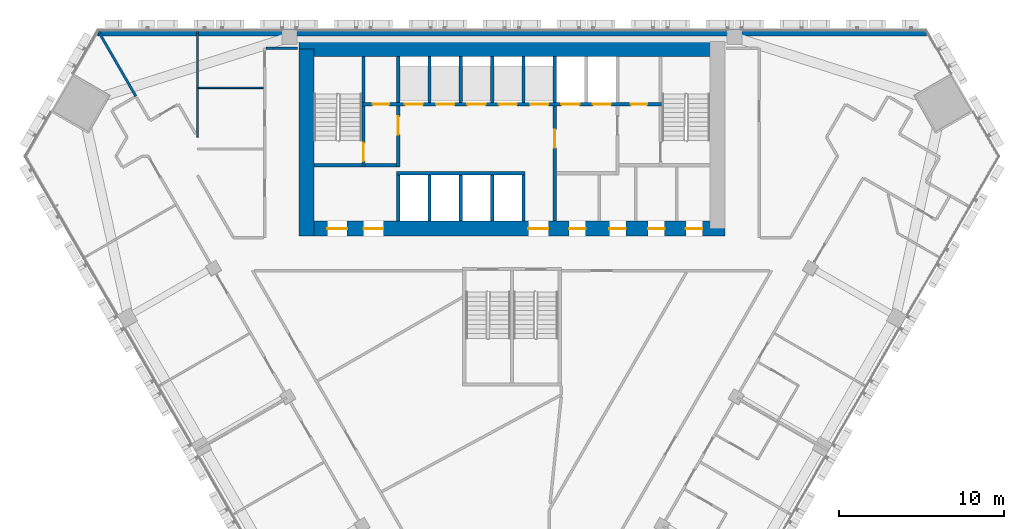
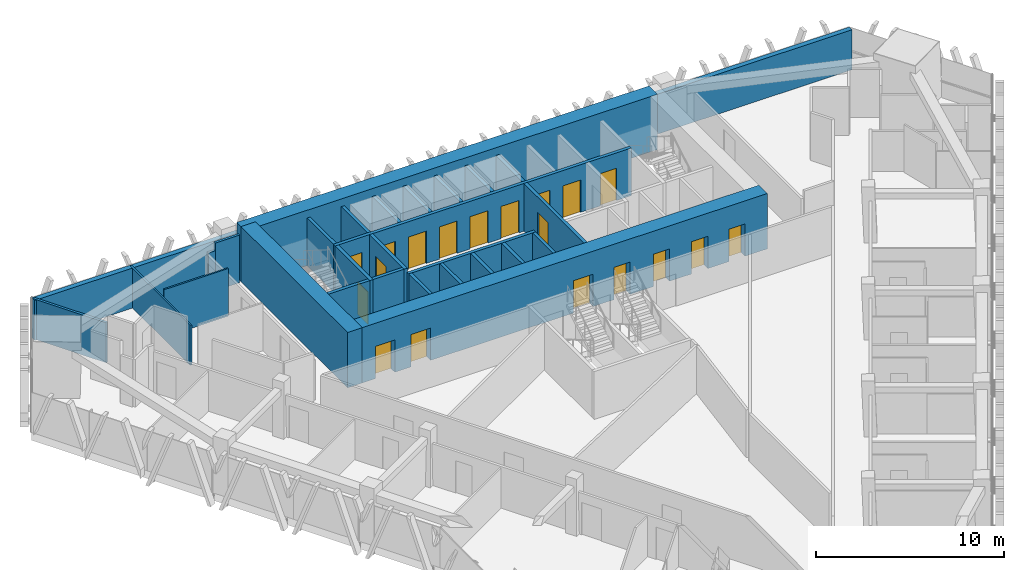
# One storey, part 11 of 16: 28 walls, 19 doors, 19 openings.
"""IFC4 building model written with IfcOpenShell, lengths in metres."""

from ifc_helpers import new_model, si_unit, direction, frame, frame_2d, origin, place, context, subcontext, project, spatial, rectangle, extrude, material, layer, layer_set, type_object, element, fill, save


model = new_model("IFC4")

# Units and contexts
model_context = context("Model", 3, precision=1e-05, world=origin(), true_north=direction((0.0, 1.0)))
body_context = subcontext(model_context, "Body", "Model", "MODEL_VIEW")
ifc_project = project(units=[si_unit("LENGTHUNIT", "METRE"), si_unit("AREAUNIT", "SQUARE_METRE"), si_unit("VOLUMEUNIT", "CUBIC_METRE"), si_unit("PLANEANGLEUNIT", "RADIAN"), si_unit("MASSUNIT", "GRAM", prefix="KILO")], contexts=[model_context])

# Site, building, storey
site_placement = place(None, origin())
site = spatial("IfcSite", under=ifc_project, at=site_placement, CompositionType="ELEMENT")
building_placement = place(site_placement, origin())
building = spatial("IfcBuilding", under=site, at=building_placement, Name="Altiplano Prism Tower", CompositionType="ELEMENT")
storey_placement = place(building_placement, frame((0.0, 0.0, 81.0)))
storey = spatial("IfcBuildingStorey", under=building, at=storey_placement, Name="L20", CompositionType="ELEMENT", Elevation=81.0)

# Wall, openings, doors
ifc_material_1 = material(Name="Concrete C70/85", Category="concrete")
ifc_layer_1 = layer(ifc_material_1, 0.89990234375)
ifc_layer_set_1 = layer_set([ifc_layer_1], Name="Concrete C70/85")
wall_type_1 = type_object("IfcWallType", Name="Core wall 900", PredefinedType="SHEAR", material=ifc_layer_set_1)
wall_1_placement = place(storey_placement, frame((72.550048828125, 92.949951171875, 0.0), z_axis=(0.0, 0.0, 1.0), x_axis=(1.0, 0.0, 0.0)))
wall_1 = element("IfcWall", 1, at=wall_1_placement, inside=storey, type_object=wall_type_1, Name="Core wall S L20", PredefinedType="SHEAR", context=body_context, shape_type="SweptSolid", body=[
    extrude(rectangle(XDim=25.349853515625, YDim=0.89990234375, at=frame_2d((12.6748046875, 0.0))), origin(), (0.0, 0.0, 1.0), 3.60009765625),
])
opening_1_placement = place(wall_1_placement, frame((1.25, 0.0, 0.0)))
opening_1 = element("IfcOpeningElement", 2, at=opening_1_placement, cuts=wall_1, Name="Opening D2860", PredefinedType="OPENING", context=body_context, shape_type="SweptSolid", body=[
    extrude(rectangle(XDim=1.199951171875, YDim=2.10009765625, at=frame_2d((0.60009765625, 1.050048828125))), frame((0.0, 0.46044921875, 0.0), z_axis=(0.0, -1.0, 0.0), x_axis=(1.0, 0.0, 0.0)), (0.0, 0.0, 1.0), 0.9208984375),
])
opening_2_placement = place(wall_1_placement, frame((3.449951171875, 0.0, 0.0)))
opening_2 = element("IfcOpeningElement", 3, at=opening_2_placement, cuts=wall_1, Name="Opening D2861", PredefinedType="OPENING", context=body_context, shape_type="SweptSolid", body=[
    extrude(rectangle(XDim=1.199951171875, YDim=2.10009765625, at=frame_2d((0.60009765625, 1.050048828125))), frame((0.0, 0.46044921875, 0.0), z_axis=(0.0, -1.0, 0.0), x_axis=(1.0, 0.0, 0.0)), (0.0, 0.0, 1.0), 0.9208984375),
])
opening_3_placement = place(wall_1_placement, frame((13.449951171875, 0.0, 0.0)))
opening_3 = element("IfcOpeningElement", 4, at=opening_3_placement, cuts=wall_1, Name="Opening D2862", PredefinedType="OPENING", context=body_context, shape_type="SweptSolid", body=[
    extrude(rectangle(XDim=1.199951171875, YDim=2.10009765625, at=frame_2d((0.60009765625, 1.050048828125))), frame((0.0, 0.46044921875, 0.0), z_axis=(0.0, -1.0, 0.0), x_axis=(1.0, 0.0, 0.0)), (0.0, 0.0, 1.0), 0.9208984375),
])
opening_4_placement = place(wall_1_placement, frame((15.91259765625, 0.0, 0.0)))
opening_4 = element("IfcOpeningElement", 5, at=opening_4_placement, cuts=wall_1, Name="Opening D2865", PredefinedType="OPENING", context=body_context, shape_type="SweptSolid", body=[
    extrude(rectangle(XDim=1.0, YDim=2.10009765625, at=frame_2d((0.5, 1.050048828125))), frame((0.0, 0.46044921875, 0.0), z_axis=(0.0, -1.0, 0.0), x_axis=(1.0, 0.0, 0.0)), (0.0, 0.0, 1.0), 0.9208984375),
])
opening_5_placement = place(wall_1_placement, frame((18.35009765625, 0.0, 0.0)))
opening_5 = element("IfcOpeningElement", 6, at=opening_5_placement, cuts=wall_1, Name="Opening D2866", PredefinedType="OPENING", context=body_context, shape_type="SweptSolid", body=[
    extrude(rectangle(XDim=1.0, YDim=2.10009765625, at=frame_2d((0.5, 1.050048828125))), frame((0.0, 0.46044921875, 0.0), z_axis=(0.0, -1.0, 0.0), x_axis=(1.0, 0.0, 0.0)), (0.0, 0.0, 1.0), 0.9208984375),
])
opening_6_placement = place(wall_1_placement, frame((20.699951171875, 0.0, 0.0)))
opening_6 = element("IfcOpeningElement", 7, at=opening_6_placement, cuts=wall_1, Name="Opening D2867", PredefinedType="OPENING", context=body_context, shape_type="SweptSolid", body=[
    extrude(rectangle(XDim=1.0, YDim=2.10009765625, at=frame_2d((0.5, 1.050048828125))), frame((0.0, 0.46044921875, 0.0), z_axis=(0.0, -1.0, 0.0), x_axis=(1.0, 0.0, 0.0)), (0.0, 0.0, 1.0), 0.9208984375),
])
opening_7_placement = place(wall_1_placement, frame((22.987548828125, 0.0, 0.0)))
opening_7 = element("IfcOpeningElement", 8, at=opening_7_placement, cuts=wall_1, Name="Opening D2868", PredefinedType="OPENING", context=body_context, shape_type="SweptSolid", body=[
    extrude(rectangle(XDim=1.0, YDim=2.10009765625, at=frame_2d((0.5, 1.050048828125))), frame((0.0, 0.46044921875, 0.0), z_axis=(0.0, -1.0, 0.0), x_axis=(1.0, 0.0, 0.0)), (0.0, 0.0, 1.0), 0.9208984375),
])
ifc_material_2 = material(Name="Fire-rated steel door", Category="steel")
door_type_1 = type_object("IfcDoorType", Name="Core room door 1000 x 2100", OperationType="NOTDEFINED", PredefinedType="NOTDEFINED", material=ifc_material_2)
door_1_placement = place(opening_4_placement, origin())
door_1 = element("IfcDoor", 9, at=door_1_placement, inside=storey, type_object=door_type_1, Name="Core room door D2865", OperationType="SINGLE_SWING_RIGHT", OverallHeight=2.10009765625, OverallWidth=1.0, PredefinedType="NOTDEFINED", context=body_context, shape_type="SweptSolid", body=[
    extrude(rectangle(XDim=1.0, YDim=2.10009765625, at=frame_2d((0.5, 1.050048828125))), frame((0.0, 0.02490234375, 0.0), z_axis=(0.0, -1.0, 0.0), x_axis=(1.0, 0.0, 0.0)), (0.0, 0.0, 1.0), 0.050048828125),
])
fill(opening_4, door_1)
door_2_placement = place(opening_5_placement, origin())
door_2 = element("IfcDoor", 10, at=door_2_placement, inside=storey, type_object=door_type_1, Name="Core room door D2866", OperationType="SINGLE_SWING_LEFT", OverallHeight=2.10009765625, OverallWidth=1.0, PredefinedType="NOTDEFINED", context=body_context, shape_type="SweptSolid", body=[
    extrude(rectangle(XDim=1.0, YDim=2.10009765625, at=frame_2d((0.5, 1.050048828125))), frame((0.0, 0.02490234375, 0.0), z_axis=(0.0, -1.0, 0.0), x_axis=(1.0, 0.0, 0.0)), (0.0, 0.0, 1.0), 0.050048828125),
])
fill(opening_5, door_2)
door_3_placement = place(opening_6_placement, origin())
door_3 = element("IfcDoor", 11, at=door_3_placement, inside=storey, type_object=door_type_1, Name="Core room door D2867", OperationType="SINGLE_SWING_RIGHT", OverallHeight=2.10009765625, OverallWidth=1.0, PredefinedType="NOTDEFINED", context=body_context, shape_type="SweptSolid", body=[
    extrude(rectangle(XDim=1.0, YDim=2.10009765625, at=frame_2d((0.5, 1.050048828125))), frame((0.0, 0.02490234375, 0.0), z_axis=(0.0, -1.0, 0.0), x_axis=(1.0, 0.0, 0.0)), (0.0, 0.0, 1.0), 0.050048828125),
])
fill(opening_6, door_3)
door_4_placement = place(opening_7_placement, origin())
door_4 = element("IfcDoor", 12, at=door_4_placement, inside=storey, type_object=door_type_1, Name="Core room door D2868", OperationType="SINGLE_SWING_LEFT", OverallHeight=2.10009765625, OverallWidth=1.0, PredefinedType="NOTDEFINED", context=body_context, shape_type="SweptSolid", body=[
    extrude(rectangle(XDim=1.0, YDim=2.10009765625, at=frame_2d((0.5, 1.050048828125))), frame((0.0, 0.02490234375, 0.0), z_axis=(0.0, -1.0, 0.0), x_axis=(1.0, 0.0, 0.0)), (0.0, 0.0, 1.0), 0.050048828125),
])
fill(opening_7, door_4)
door_type_2 = type_object("IfcDoorType", Name="Lobby fire door 1200 x 2100", OperationType="NOTDEFINED", PredefinedType="NOTDEFINED", material=ifc_material_2)
door_5_placement = place(opening_1_placement, origin())
door_5 = element("IfcDoor", 13, at=door_5_placement, inside=storey, type_object=door_type_2, Name="Lobby fire door D2860", OperationType="SINGLE_SWING_RIGHT", OverallHeight=2.10009765625, OverallWidth=1.199951171875, PredefinedType="NOTDEFINED", context=body_context, shape_type="SweptSolid", body=[
    extrude(rectangle(XDim=1.199951171875, YDim=2.10009765625, at=frame_2d((0.60009765625, 1.050048828125))), frame((0.0, 0.02490234375, 0.0), z_axis=(0.0, -1.0, 0.0), x_axis=(1.0, 0.0, 0.0)), (0.0, 0.0, 1.0), 0.050048828125),
])
fill(opening_1, door_5)
door_6_placement = place(opening_2_placement, origin())
door_6 = element("IfcDoor", 14, at=door_6_placement, inside=storey, type_object=door_type_2, Name="Lobby fire door D2861", OperationType="SINGLE_SWING_LEFT", OverallHeight=2.10009765625, OverallWidth=1.199951171875, PredefinedType="NOTDEFINED", context=body_context, shape_type="SweptSolid", body=[
    extrude(rectangle(XDim=1.199951171875, YDim=2.10009765625, at=frame_2d((0.60009765625, 1.050048828125))), frame((0.0, 0.02490234375, 0.0), z_axis=(0.0, -1.0, 0.0), x_axis=(1.0, 0.0, 0.0)), (0.0, 0.0, 1.0), 0.050048828125),
])
fill(opening_2, door_6)
door_7_placement = place(opening_3_placement, origin())
door_7 = element("IfcDoor", 15, at=door_7_placement, inside=storey, type_object=door_type_2, Name="Lobby fire door D2862", OperationType="SINGLE_SWING_RIGHT", OverallHeight=2.10009765625, OverallWidth=1.199951171875, PredefinedType="NOTDEFINED", context=body_context, shape_type="SweptSolid", body=[
    extrude(rectangle(XDim=1.199951171875, YDim=2.10009765625, at=frame_2d((0.60009765625, 1.050048828125))), frame((0.0, 0.02490234375, 0.0), z_axis=(0.0, -1.0, 0.0), x_axis=(1.0, 0.0, 0.0)), (0.0, 0.0, 1.0), 0.050048828125),
])
fill(opening_3, door_7)

# Walls
wall_2_placement = place(storey_placement, frame((97.449951171875, 103.85009765625, 0.0), z_axis=(0.0, 0.0, 1.0), x_axis=(-1.0, 0.0, 0.0)))
element("IfcWall", 16, at=wall_2_placement, inside=storey, type_object=wall_type_1, Name="Core wall N L20", PredefinedType="SHEAR", context=body_context, shape_type="SweptSolid", body=[
    extrude(rectangle(XDim=25.349853515625, YDim=0.89990234375, at=frame_2d((12.6748046875, 0.0))), origin(), (0.0, 0.0, 1.0), 3.60009765625),
])
wall_3_placement = place(storey_placement, frame((72.550048828125, 103.85009765625, 0.0), z_axis=(0.0, 0.0, 1.0), x_axis=(0.0, -1.0, 0.0)))
element("IfcWall", 17, at=wall_3_placement, inside=storey, type_object=wall_type_1, Name="Core wall W L20", PredefinedType="SHEAR", context=body_context, shape_type="SweptSolid", body=[
    extrude(rectangle(XDim=11.35009765625, YDim=0.89990234375, at=frame_2d((5.675048828125, 0.0))), origin(), (0.0, 0.0, 1.0), 3.60009765625),
])
ifc_material_3 = material(Name="Plasterboard on steel stud", Category="steel")
ifc_layer_2 = layer(ifc_material_3, 0.10009765625)
ifc_layer_set_2 = layer_set([ifc_layer_2], Name="Plasterboard on steel stud")
wall_type_2 = type_object("IfcWallType", Name="Partition 100 wet", PredefinedType="PARTITIONING", material=ifc_layer_set_2)
wall_4_placement = place(storey_placement, frame((69.925048828125, 101.485595703125, 0.0), z_axis=(0.0, 0.0, 1.0), x_axis=(-1.0, 0.0, 0.0)))
element("IfcWall", 18, at=wall_4_placement, inside=storey, type_object=wall_type_2, Name="Partition P03 L20 039", PredefinedType="PARTITIONING", context=body_context, shape_type="SweptSolid", body=[
    extrude(rectangle(XDim=3.93994140625, YDim=0.10009765625, at=frame_2d((1.969970703125, 0.0))), origin(), (0.0, 0.0, 1.0), 3.10009765625),
])
wall_5_placement = place(storey_placement, frame((65.93603515625, 104.89990234375, 0.0), z_axis=(0.0, 0.0, 1.0), x_axis=(-0.000267032874, -0.999999964347, 0.0)))
element("IfcWall", 19, at=wall_5_placement, inside=storey, type_object=wall_type_2, Name="Partition P03 L20 041", PredefinedType="PARTITIONING", context=body_context, shape_type="SweptSolid", body=[
    extrude(rectangle(XDim=6.39990234375, YDim=0.10009765625, at=frame_2d((3.199951171875, 0.0))), origin(), (0.0, 0.0, 1.0), 2.60009765625),
])
ifc_layer_3 = layer(ifc_material_3, 0.14990234375)
ifc_layer_set_3 = layer_set([ifc_layer_3], Name="Plasterboard on steel stud")
wall_type_3 = type_object("IfcWallType", Name="Partition 150 corridor", PredefinedType="PARTITIONING", material=ifc_layer_set_3)
wall_6_placement = place(storey_placement, frame((72.0, 103.89990234375, 0.0), z_axis=(0.0, 0.0, 1.0), x_axis=(-1.0, 0.0, 0.0)))
element("IfcWall", 20, at=wall_6_placement, inside=storey, type_object=wall_type_3, Name="Partition P06 L20 001", PredefinedType="PARTITIONING", context=body_context, shape_type="SweptSolid", body=[
    extrude(rectangle(XDim=1.49169921875, YDim=0.14990234375, at=frame_2d((0.745849609375, 0.0))), origin(), (0.0, 0.0, 1.0), 3.10009765625),
])
wall_7_placement = place(storey_placement, frame((70.50830078125, 103.89990234375, 0.0), z_axis=(0.0, 0.0, 1.0), x_axis=(-1.0, 0.0, 0.0)))
element("IfcWall", 21, at=wall_7_placement, inside=storey, type_object=wall_type_3, Name="Partition P06 L20 002", PredefinedType="PARTITIONING", context=body_context, shape_type="SweptSolid", body=[
    extrude(rectangle(XDim=0.433349609375, YDim=0.14990234375, at=frame_2d((0.216796875, 0.0))), origin(), (0.0, 0.0, 1.0), 2.60009765625),
])
ifc_layer_4 = layer(ifc_material_3, 0.14990234375)
ifc_layer_set_4 = layer_set([ifc_layer_4], Name="Plasterboard on steel stud")
wall_type_4 = type_object("IfcWallType", Name="Partition 150 party", PredefinedType="PARTITIONING", material=ifc_layer_set_4)
wall_8_placement = place(storey_placement, frame((59.9296875, 104.89990234375, 0.0), z_axis=(0.0, 0.0, 1.0), x_axis=(0.500023773789, -0.866011677546, 0.0)))
element("IfcWall", 22, at=wall_8_placement, inside=storey, type_object=wall_type_4, Name="Partition P01 L20 042", PredefinedType="PARTITIONING", context=body_context, shape_type="SweptSolid", body=[
    extrude(rectangle(XDim=4.535400390625, YDim=0.14990234375, at=frame_2d((2.267578125, 0.0))), origin(), (0.0, 0.0, 1.0), 2.60009765625),
])
ifc_material_4 = material(Name="Concrete C60/75", Category="concrete")
ifc_layer_5 = layer(ifc_material_4, 0.199951171875)
ifc_layer_set_5 = layer_set([ifc_layer_5], Name="Concrete C60/75")
wall_type_5 = type_object("IfcWallType", Name="Shaft wall 200", PredefinedType="SOLIDWALL", material=ifc_layer_set_5)
for number, where, z_axis, x_axis, name in (
    (23, (78.10009765625, 93.39990234375, 0.0), (0.0, 0.0, 1.0), (0.0, 1.0, 0.0), "Shaft wall L20"),
    (24, (80.0, 93.39990234375, 0.0), (0.0, 0.0, 1.0), (0.0, 1.0, 0.0), "Shaft wall L20"),
    (25, (81.89990234375, 93.39990234375, 0.0), (0.0, 0.0, 1.0), (0.0, 1.0, 0.0), "Shaft wall L20"),
    (26, (83.800048828125, 93.39990234375, 0.0), (0.0, 0.0, 1.0), (0.0, 1.0, 0.0), "Shaft wall L20"),
    (27, (85.699951171875, 93.39990234375, 0.0), (0.0, 0.0, 1.0), (0.0, 1.0, 0.0), "Shaft wall L20"),
):
    element("IfcWall", number, at=place(storey_placement, frame(where, z_axis=z_axis, x_axis=x_axis)), inside=storey, type_object=wall_type_5, Name=name, PredefinedType="SOLIDWALL", context=body_context, shape_type="SweptSolid", body=[
        extrude(rectangle(XDim=2.800048828125, YDim=0.199951171875, at=frame_2d((1.39990234375, 0.0))), origin(), (0.0, 0.0, 1.0), 3.10009765625),
    ])
wall_9_placement = place(storey_placement, frame((78.0, 96.300048828125, 0.0), z_axis=(0.0, 0.0, 1.0), x_axis=(1.0, 0.0, 0.0)))
element("IfcWall", 28, at=wall_9_placement, inside=storey, type_object=wall_type_5, Name="Shaft wall L20", PredefinedType="SOLIDWALL", context=body_context, shape_type="SweptSolid", body=[
    extrude(rectangle(XDim=7.800048828125, YDim=0.199951171875, at=frame_2d((3.89990234375, 0.0))), origin(), (0.0, 0.0, 1.0), 3.10009765625),
])
for number, where, z_axis, x_axis, name in (
    (29, (78.10009765625, 100.60009765625, 0.0), (0.0, 0.0, 1.0), (0.0, 1.0, 0.0), "Shaft wall L20"),
    (30, (80.0, 100.60009765625, 0.0), (0.0, 0.0, 1.0), (0.0, 1.0, 0.0), "Shaft wall L20"),
    (31, (81.89990234375, 100.60009765625, 0.0), (0.0, 0.0, 1.0), (0.0, 1.0, 0.0), "Shaft wall L20"),
    (32, (83.800048828125, 100.60009765625, 0.0), (0.0, 0.0, 1.0), (0.0, 1.0, 0.0), "Shaft wall L20"),
    (33, (85.699951171875, 100.60009765625, 0.0), (0.0, 0.0, 1.0), (0.0, 1.0, 0.0), "Shaft wall L20"),
    (34, (87.60009765625, 100.60009765625, 0.0), (0.0, 0.0, 1.0), (0.0, 1.0, 0.0), "Shaft wall L20"),
):
    element("IfcWall", number, at=place(storey_placement, frame(where, z_axis=z_axis, x_axis=x_axis)), inside=storey, type_object=wall_type_5, Name=name, PredefinedType="SOLIDWALL", context=body_context, shape_type="SweptSolid", body=[
        extrude(rectangle(XDim=2.7998046875, YDim=0.199951171875, at=frame_2d((1.39990234375, 0.0))), origin(), (0.0, 0.0, 1.0), 3.10009765625),
    ])
ifc_layer_6 = layer(ifc_material_4, 0.199951171875)
ifc_layer_set_6 = layer_set([ifc_layer_6], Name="Concrete C60/75")
wall_type_6 = type_object("IfcWallType", Name="Stair wall 200", PredefinedType="SOLIDWALL", material=ifc_layer_set_6)
wall_10_placement = place(storey_placement, frame((73.0, 96.800048828125, 0.0), z_axis=(0.0, 0.0, 1.0), x_axis=(1.0, 0.0, 0.0)))
element("IfcWall", 35, at=wall_10_placement, inside=storey, type_object=wall_type_6, Name="Stair wall L20", PredefinedType="SOLIDWALL", context=body_context, shape_type="SweptSolid", body=[
    extrude(rectangle(XDim=2.89990234375, YDim=0.199951171875, at=frame_2d((1.449951171875, 0.0))), origin(), (0.0, 0.0, 1.0), 3.10009765625),
])

# Wall, opening, door
wall_11_placement = place(storey_placement, frame((76.0, 96.699951171875, 0.0), z_axis=(0.0, 0.0, 1.0), x_axis=(0.0, 1.0, 0.0)))
wall_11 = element("IfcWall", 36, at=wall_11_placement, inside=storey, type_object=wall_type_6, Name="Stair wall L20", PredefinedType="SOLIDWALL", context=body_context, shape_type="SweptSolid", body=[
    extrude(rectangle(XDim=3.699951171875, YDim=0.199951171875, at=frame_2d((1.85009765625, 0.0))), origin(), (0.0, 0.0, 1.0), 3.10009765625),
])
opening_8_placement = place(wall_11_placement, frame((0.35009765625, 0.0, 0.0)))
opening_8 = element("IfcOpeningElement", 37, at=opening_8_placement, cuts=wall_11, Name="Opening D2855", PredefinedType="OPENING", context=body_context, shape_type="SweptSolid", body=[
    extrude(rectangle(XDim=1.10009765625, YDim=2.10009765625, at=frame_2d((0.550048828125, 1.050048828125))), frame((0.0, 0.1103515625, 0.0), z_axis=(0.0, -1.0, 0.0), x_axis=(1.0, 0.0, 0.0)), (0.0, 0.0, 1.0), 0.220947265625),
])
door_type_3 = type_object("IfcDoorType", Name="Stair fire door 1100 x 2100", OperationType="NOTDEFINED", PredefinedType="NOTDEFINED", material=ifc_material_2)
door_8_placement = place(opening_8_placement, origin())
door_8 = element("IfcDoor", 38, at=door_8_placement, inside=storey, type_object=door_type_3, Name="Stair fire door D2855", OperationType="SINGLE_SWING_RIGHT", OverallHeight=2.10009765625, OverallWidth=1.10009765625, PredefinedType="NOTDEFINED", context=body_context, shape_type="SweptSolid", body=[
    extrude(rectangle(XDim=1.10009765625, YDim=2.10009765625, at=frame_2d((0.550048828125, 1.050048828125))), frame((0.0, 0.02490234375, 0.0), z_axis=(0.0, -1.0, 0.0), x_axis=(1.0, 0.0, 0.0)), (0.0, 0.0, 1.0), 0.050048828125),
])
fill(opening_8, door_8)

# Wall, openings, doors
wall_12_placement = place(storey_placement, frame((75.89990234375, 100.5, 0.0), z_axis=(0.0, 0.0, 1.0), x_axis=(1.0, 0.0, 0.0)))
wall_12 = element("IfcWall", 39, at=wall_12_placement, inside=storey, type_object=wall_type_6, Name="Stair wall L20", PredefinedType="SOLIDWALL", context=body_context, shape_type="SweptSolid", body=[
    extrude(rectangle(XDim=18.2001953125, YDim=0.199951171875, at=frame_2d((9.10009765625, 0.0))), origin(), (0.0, 0.0, 1.0), 3.10009765625),
])
opening_9_placement = place(wall_12_placement, frame((2.60009765625, 0.0, 0.0)))
opening_9 = element("IfcOpeningElement", 40, at=opening_9_placement, cuts=wall_12, Name="Opening LD-LL1-L20", PredefinedType="OPENING", context=body_context, shape_type="SweptSolid", body=[
    extrude(rectangle(XDim=1.10009765625, YDim=2.10009765625, at=frame_2d((0.550048828125, 1.050048828125))), frame((0.0, 0.1103515625, 0.0), z_axis=(0.0, -1.0, 0.0), x_axis=(1.0, 0.0, 0.0)), (0.0, 0.0, 1.0), 0.220947265625),
])
opening_10_placement = place(wall_12_placement, frame((4.5, 0.0, 0.0)))
opening_10 = element("IfcOpeningElement", 41, at=opening_10_placement, cuts=wall_12, Name="Opening LD-LL2-L20", PredefinedType="OPENING", context=body_context, shape_type="SweptSolid", body=[
    extrude(rectangle(XDim=1.10009765625, YDim=2.10009765625, at=frame_2d((0.550048828125, 1.050048828125))), frame((0.0, 0.1103515625, 0.0), z_axis=(0.0, -1.0, 0.0), x_axis=(1.0, 0.0, 0.0)), (0.0, 0.0, 1.0), 0.220947265625),
])
opening_11_placement = place(wall_12_placement, frame((6.39990234375, 0.0, 0.0)))
opening_11 = element("IfcOpeningElement", 42, at=opening_11_placement, cuts=wall_12, Name="Opening LD-LL3-L20", PredefinedType="OPENING", context=body_context, shape_type="SweptSolid", body=[
    extrude(rectangle(XDim=1.10009765625, YDim=2.10009765625, at=frame_2d((0.550048828125, 1.050048828125))), frame((0.0, 0.1103515625, 0.0), z_axis=(0.0, -1.0, 0.0), x_axis=(1.0, 0.0, 0.0)), (0.0, 0.0, 1.0), 0.220947265625),
])
opening_12_placement = place(wall_12_placement, frame((8.300048828125, 0.0, 0.0)))
opening_12 = element("IfcOpeningElement", 43, at=opening_12_placement, cuts=wall_12, Name="Opening LD-LL4-L20", PredefinedType="OPENING", context=body_context, shape_type="SweptSolid", body=[
    extrude(rectangle(XDim=1.10009765625, YDim=2.10009765625, at=frame_2d((0.550048828125, 1.050048828125))), frame((0.0, 0.1103515625, 0.0), z_axis=(0.0, -1.0, 0.0), x_axis=(1.0, 0.0, 0.0)), (0.0, 0.0, 1.0), 0.220947265625),
])
opening_13_placement = place(wall_12_placement, frame((10.199951171875, 0.0, 0.0)))
opening_13 = element("IfcOpeningElement", 44, at=opening_13_placement, cuts=wall_12, Name="Opening LD-LL5-L20", PredefinedType="OPENING", context=body_context, shape_type="SweptSolid", body=[
    extrude(rectangle(XDim=1.10009765625, YDim=2.10009765625, at=frame_2d((0.550048828125, 1.050048828125))), frame((0.0, 0.1103515625, 0.0), z_axis=(0.0, -1.0, 0.0), x_axis=(1.0, 0.0, 0.0)), (0.0, 0.0, 1.0), 0.220947265625),
])
opening_14_placement = place(wall_12_placement, frame((12.10009765625, 0.0, 0.0)))
opening_14 = element("IfcOpeningElement", 45, at=opening_14_placement, cuts=wall_12, Name="Opening LD-FF1-L20", PredefinedType="OPENING", context=body_context, shape_type="SweptSolid", body=[
    extrude(rectangle(XDim=1.10009765625, YDim=2.10009765625, at=frame_2d((0.550048828125, 1.050048828125))), frame((0.0, 0.1103515625, 0.0), z_axis=(0.0, -1.0, 0.0), x_axis=(1.0, 0.0, 0.0)), (0.0, 0.0, 1.0), 0.220947265625),
])
opening_15_placement = place(wall_12_placement, frame((14.0, 0.0, 0.0)))
opening_15 = element("IfcOpeningElement", 46, at=opening_15_placement, cuts=wall_12, Name="Opening LD-FF2-L20", PredefinedType="OPENING", context=body_context, shape_type="SweptSolid", body=[
    extrude(rectangle(XDim=1.10009765625, YDim=2.10009765625, at=frame_2d((0.550048828125, 1.050048828125))), frame((0.0, 0.1103515625, 0.0), z_axis=(0.0, -1.0, 0.0), x_axis=(1.0, 0.0, 0.0)), (0.0, 0.0, 1.0), 0.220947265625),
])
opening_16_placement = place(wall_12_placement, frame((0.64990234375, 0.0, 0.0)))
opening_16 = element("IfcOpeningElement", 47, at=opening_16_placement, cuts=wall_12, Name="Opening D2863", PredefinedType="OPENING", context=body_context, shape_type="SweptSolid", body=[
    extrude(rectangle(XDim=1.0, YDim=2.10009765625, at=frame_2d((0.5, 1.050048828125))), frame((0.0, 0.1103515625, 0.0), z_axis=(0.0, -1.0, 0.0), x_axis=(1.0, 0.0, 0.0)), (0.0, 0.0, 1.0), 0.220947265625),
])
opening_17_placement = place(wall_12_placement, frame((16.300048828125, 0.0, 0.0)))
opening_17 = element("IfcOpeningElement", 48, at=opening_17_placement, cuts=wall_12, Name="Opening D2864", PredefinedType="OPENING", context=body_context, shape_type="SweptSolid", body=[
    extrude(rectangle(XDim=1.0, YDim=2.10009765625, at=frame_2d((0.5, 1.050048828125))), frame((0.0, 0.1103515625, 0.0), z_axis=(0.0, -1.0, 0.0), x_axis=(1.0, 0.0, 0.0)), (0.0, 0.0, 1.0), 0.220947265625),
])
door_9_placement = place(opening_16_placement, origin())
door_9 = element("IfcDoor", 49, at=door_9_placement, inside=storey, type_object=door_type_1, Name="Core room door D2863", OperationType="SINGLE_SWING_LEFT", OverallHeight=2.10009765625, OverallWidth=1.0, PredefinedType="NOTDEFINED", context=body_context, shape_type="SweptSolid", body=[
    extrude(rectangle(XDim=1.0, YDim=2.10009765625, at=frame_2d((0.5, 1.050048828125))), frame((0.0, 0.02490234375, 0.0), z_axis=(0.0, -1.0, 0.0), x_axis=(1.0, 0.0, 0.0)), (0.0, 0.0, 1.0), 0.050048828125),
])
fill(opening_16, door_9)
door_10_placement = place(opening_17_placement, origin())
door_10 = element("IfcDoor", 50, at=door_10_placement, inside=storey, type_object=door_type_1, Name="Core room door D2864", OperationType="SINGLE_SWING_RIGHT", OverallHeight=2.10009765625, OverallWidth=1.0, PredefinedType="NOTDEFINED", context=body_context, shape_type="SweptSolid", body=[
    extrude(rectangle(XDim=1.0, YDim=2.10009765625, at=frame_2d((0.5, 1.050048828125))), frame((0.0, 0.02490234375, 0.0), z_axis=(0.0, -1.0, 0.0), x_axis=(1.0, 0.0, 0.0)), (0.0, 0.0, 1.0), 0.050048828125),
])
fill(opening_17, door_10)
ifc_material_5 = material(Name="Stainless steel landing door", Category="steel")
door_type_4 = type_object("IfcDoorType", Name="Landing door 1100 x 2100", OperationType="NOTDEFINED", PredefinedType="NOTDEFINED", material=ifc_material_5)
door_11_placement = place(opening_9_placement, origin())
door_11 = element("IfcDoor", 51, at=door_11_placement, inside=storey, type_object=door_type_4, Name="Landing doors LL1", OperationType="SLIDING_TO_RIGHT", OverallHeight=2.10009765625, OverallWidth=1.10009765625, PredefinedType="NOTDEFINED", context=body_context, shape_type="SweptSolid", body=[
    extrude(rectangle(XDim=1.10009765625, YDim=2.10009765625, at=frame_2d((0.550048828125, 1.050048828125))), frame((0.0, 0.02490234375, 0.0), z_axis=(0.0, -1.0, 0.0), x_axis=(1.0, 0.0, 0.0)), (0.0, 0.0, 1.0), 0.050048828125),
])
fill(opening_9, door_11)
door_12_placement = place(opening_10_placement, origin())
door_12 = element("IfcDoor", 52, at=door_12_placement, inside=storey, type_object=door_type_4, Name="Landing doors LL2", OperationType="SLIDING_TO_LEFT", OverallHeight=2.10009765625, OverallWidth=1.10009765625, PredefinedType="NOTDEFINED", context=body_context, shape_type="SweptSolid", body=[
    extrude(rectangle(XDim=1.10009765625, YDim=2.10009765625, at=frame_2d((0.550048828125, 1.050048828125))), frame((0.0, 0.02490234375, 0.0), z_axis=(0.0, -1.0, 0.0), x_axis=(1.0, 0.0, 0.0)), (0.0, 0.0, 1.0), 0.050048828125),
])
fill(opening_10, door_12)
door_13_placement = place(opening_11_placement, origin())
door_13 = element("IfcDoor", 53, at=door_13_placement, inside=storey, type_object=door_type_4, Name="Landing doors LL3", OperationType="SLIDING_TO_RIGHT", OverallHeight=2.10009765625, OverallWidth=1.10009765625, PredefinedType="NOTDEFINED", context=body_context, shape_type="SweptSolid", body=[
    extrude(rectangle(XDim=1.10009765625, YDim=2.10009765625, at=frame_2d((0.550048828125, 1.050048828125))), frame((0.0, 0.02490234375, 0.0), z_axis=(0.0, -1.0, 0.0), x_axis=(1.0, 0.0, 0.0)), (0.0, 0.0, 1.0), 0.050048828125),
])
fill(opening_11, door_13)
door_14_placement = place(opening_12_placement, origin())
door_14 = element("IfcDoor", 54, at=door_14_placement, inside=storey, type_object=door_type_4, Name="Landing doors LL4", OperationType="SLIDING_TO_LEFT", OverallHeight=2.10009765625, OverallWidth=1.10009765625, PredefinedType="NOTDEFINED", context=body_context, shape_type="SweptSolid", body=[
    extrude(rectangle(XDim=1.10009765625, YDim=2.10009765625, at=frame_2d((0.550048828125, 1.050048828125))), frame((0.0, 0.02490234375, 0.0), z_axis=(0.0, -1.0, 0.0), x_axis=(1.0, 0.0, 0.0)), (0.0, 0.0, 1.0), 0.050048828125),
])
fill(opening_12, door_14)
door_15_placement = place(opening_13_placement, origin())
door_15 = element("IfcDoor", 55, at=door_15_placement, inside=storey, type_object=door_type_4, Name="Landing doors LL5", OperationType="SLIDING_TO_RIGHT", OverallHeight=2.10009765625, OverallWidth=1.10009765625, PredefinedType="NOTDEFINED", context=body_context, shape_type="SweptSolid", body=[
    extrude(rectangle(XDim=1.10009765625, YDim=2.10009765625, at=frame_2d((0.550048828125, 1.050048828125))), frame((0.0, 0.02490234375, 0.0), z_axis=(0.0, -1.0, 0.0), x_axis=(1.0, 0.0, 0.0)), (0.0, 0.0, 1.0), 0.050048828125),
])
fill(opening_13, door_15)
door_16_placement = place(opening_14_placement, origin())
door_16 = element("IfcDoor", 56, at=door_16_placement, inside=storey, type_object=door_type_4, Name="Landing doors FF1", OperationType="SLIDING_TO_RIGHT", OverallHeight=2.10009765625, OverallWidth=1.10009765625, PredefinedType="NOTDEFINED", context=body_context, shape_type="SweptSolid", body=[
    extrude(rectangle(XDim=1.10009765625, YDim=2.10009765625, at=frame_2d((0.550048828125, 1.050048828125))), frame((0.0, 0.02490234375, 0.0), z_axis=(0.0, -1.0, 0.0), x_axis=(1.0, 0.0, 0.0)), (0.0, 0.0, 1.0), 0.050048828125),
])
fill(opening_14, door_16)
door_17_placement = place(opening_15_placement, origin())
door_17 = element("IfcDoor", 57, at=door_17_placement, inside=storey, type_object=door_type_4, Name="Landing doors FF2", OperationType="SLIDING_TO_LEFT", OverallHeight=2.10009765625, OverallWidth=1.10009765625, PredefinedType="NOTDEFINED", context=body_context, shape_type="SweptSolid", body=[
    extrude(rectangle(XDim=1.10009765625, YDim=2.10009765625, at=frame_2d((0.550048828125, 1.050048828125))), frame((0.0, 0.02490234375, 0.0), z_axis=(0.0, -1.0, 0.0), x_axis=(1.0, 0.0, 0.0)), (0.0, 0.0, 1.0), 0.050048828125),
])
fill(opening_15, door_17)

# Walls
wall_13_placement = place(storey_placement, frame((76.0, 100.60009765625, 0.0), z_axis=(0.0, 0.0, 1.0), x_axis=(0.0, 1.0, 0.0)))
element("IfcWall", 58, at=wall_13_placement, inside=storey, type_object=wall_type_6, Name="Stair wall L20", PredefinedType="SOLIDWALL", context=body_context, shape_type="SweptSolid", body=[
    extrude(rectangle(XDim=2.7998046875, YDim=0.199951171875, at=frame_2d((1.39990234375, 0.0))), origin(), (0.0, 0.0, 1.0), 3.10009765625),
])
ifc_material_6 = material(Name="Concrete C40", Category="concrete")
ifc_layer_7 = layer(ifc_material_6, 0.300048828125)
ifc_layer_set_7 = layer_set([ifc_layer_7], Name="Concrete C40")
wall_type_7 = type_object("IfcWallType", Name="Stone-clad external wall 300", PredefinedType="SOLIDWALL", material=ifc_layer_set_7)
wall_14_placement = place(storey_placement, frame((59.8720703125, 104.7900390625, 0.0), z_axis=(0.0, 0.0, 1.0), x_axis=(1.0, 0.0, 0.0)))
element("IfcWall", 59, at=wall_14_placement, inside=storey, type_object=wall_type_7, Name="External wall north face L20", PredefinedType="SOLIDWALL", context=body_context, shape_type="SweptSolid", body=[
    extrude(rectangle(XDim=50.255859375, YDim=0.300048828125, at=frame_2d((25.1279296875, 0.0))), origin(), (0.0, 0.0, 1.0), 2.60009765625),
])

# Wall, opening, door
ifc_layer_8 = layer(ifc_material_4, 0.199951171875)
ifc_layer_set_8 = layer_set([ifc_layer_8], Name="Concrete C60/75")
wall_type_8 = type_object("IfcWallType", Name="Vestibule wall 200", PredefinedType="PARTITIONING", material=ifc_layer_set_8)
wall_15_placement = place(storey_placement, frame((87.60009765625, 93.39990234375, 0.0), z_axis=(0.0, 0.0, 1.0), x_axis=(0.0, 1.0, 0.0)))
wall_15 = element("IfcWall", 60, at=wall_15_placement, inside=storey, type_object=wall_type_8, Name="Vestibule wall L20", PredefinedType="PARTITIONING", context=body_context, shape_type="SweptSolid", body=[
    extrude(rectangle(XDim=7.0, YDim=0.199951171875, at=frame_2d((3.5, 0.0))), origin(), (0.0, 0.0, 1.0), 3.10009765625),
])
opening_18_placement = place(wall_15_placement, frame((4.449951171875, 0.0, 0.0)))
opening_18 = element("IfcOpeningElement", 61, at=opening_18_placement, cuts=wall_15, Name="Opening D2858", PredefinedType="OPENING", context=body_context, shape_type="SweptSolid", body=[
    extrude(rectangle(XDim=1.10009765625, YDim=2.10009765625, at=frame_2d((0.550048828125, 1.050048828125))), frame((0.0, 0.1103515625, 0.0), z_axis=(0.0, -1.0, 0.0), x_axis=(1.0, 0.0, 0.0)), (0.0, 0.0, 1.0), 0.220947265625),
])
door_type_5 = type_object("IfcDoorType", Name="Vestibule fire door 1100 x 2100", OperationType="NOTDEFINED", PredefinedType="NOTDEFINED", material=ifc_material_2)
door_18_placement = place(opening_18_placement, origin())
door_18 = element("IfcDoor", 62, at=door_18_placement, inside=storey, type_object=door_type_5, Name="Vestibule fire door D2858", OperationType="SINGLE_SWING_RIGHT", OverallHeight=2.10009765625, OverallWidth=1.10009765625, PredefinedType="NOTDEFINED", context=body_context, shape_type="SweptSolid", body=[
    extrude(rectangle(XDim=1.10009765625, YDim=2.10009765625, at=frame_2d((0.550048828125, 1.050048828125))), frame((0.0, 0.02490234375, 0.0), z_axis=(0.0, -1.0, 0.0), x_axis=(1.0, 0.0, 0.0)), (0.0, 0.0, 1.0), 0.050048828125),
])
fill(opening_18, door_18)

# Wall
wall_16_placement = place(storey_placement, frame((76.10009765625, 96.800048828125, 0.0), z_axis=(0.0, 0.0, 1.0), x_axis=(1.0, 0.0, 0.0)))
element("IfcWall", 63, at=wall_16_placement, inside=storey, type_object=wall_type_8, Name="Vestibule wall L20", PredefinedType="PARTITIONING", context=body_context, shape_type="SweptSolid", body=[
    extrude(rectangle(XDim=1.89990234375, YDim=0.199951171875, at=frame_2d((0.949951171875, 0.0))), origin(), (0.0, 0.0, 1.0), 3.10009765625),
])

# Wall, opening, door
wall_17_placement = place(storey_placement, frame((78.10009765625, 96.699951171875, 0.0), z_axis=(0.0, 0.0, 1.0), x_axis=(0.0, 1.0, 0.0)))
wall_17 = element("IfcWall", 64, at=wall_17_placement, inside=storey, type_object=wall_type_8, Name="Vestibule wall L20", PredefinedType="PARTITIONING", context=body_context, shape_type="SweptSolid", body=[
    extrude(rectangle(XDim=3.699951171875, YDim=0.199951171875, at=frame_2d((1.85009765625, 0.0))), origin(), (0.0, 0.0, 1.0), 3.10009765625),
])
opening_19_placement = place(wall_17_placement, frame((1.949951171875, 0.0, 0.0)))
opening_19 = element("IfcOpeningElement", 65, at=opening_19_placement, cuts=wall_17, Name="Opening D2857", PredefinedType="OPENING", context=body_context, shape_type="SweptSolid", body=[
    extrude(rectangle(XDim=1.10009765625, YDim=2.10009765625, at=frame_2d((0.550048828125, 1.050048828125))), frame((0.0, 0.1103515625, 0.0), z_axis=(0.0, -1.0, 0.0), x_axis=(1.0, 0.0, 0.0)), (0.0, 0.0, 1.0), 0.220947265625),
])
door_19_placement = place(opening_19_placement, origin())
door_19 = element("IfcDoor", 66, at=door_19_placement, inside=storey, type_object=door_type_5, Name="Vestibule fire door D2857", OperationType="SINGLE_SWING_LEFT", OverallHeight=2.10009765625, OverallWidth=1.10009765625, PredefinedType="NOTDEFINED", context=body_context, shape_type="SweptSolid", body=[
    extrude(rectangle(XDim=1.10009765625, YDim=2.10009765625, at=frame_2d((0.550048828125, 1.050048828125))), frame((0.0, 0.02490234375, 0.0), z_axis=(0.0, -1.0, 0.0), x_axis=(1.0, 0.0, 0.0)), (0.0, 0.0, 1.0), 0.050048828125),
])
fill(opening_19, door_19)

save(model, "model.ifc")
